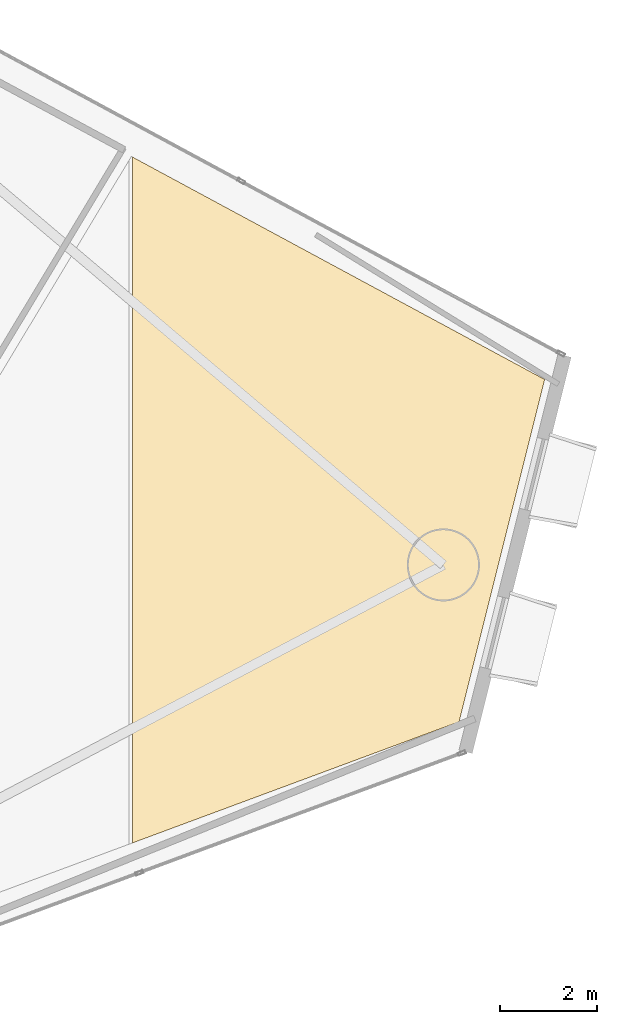
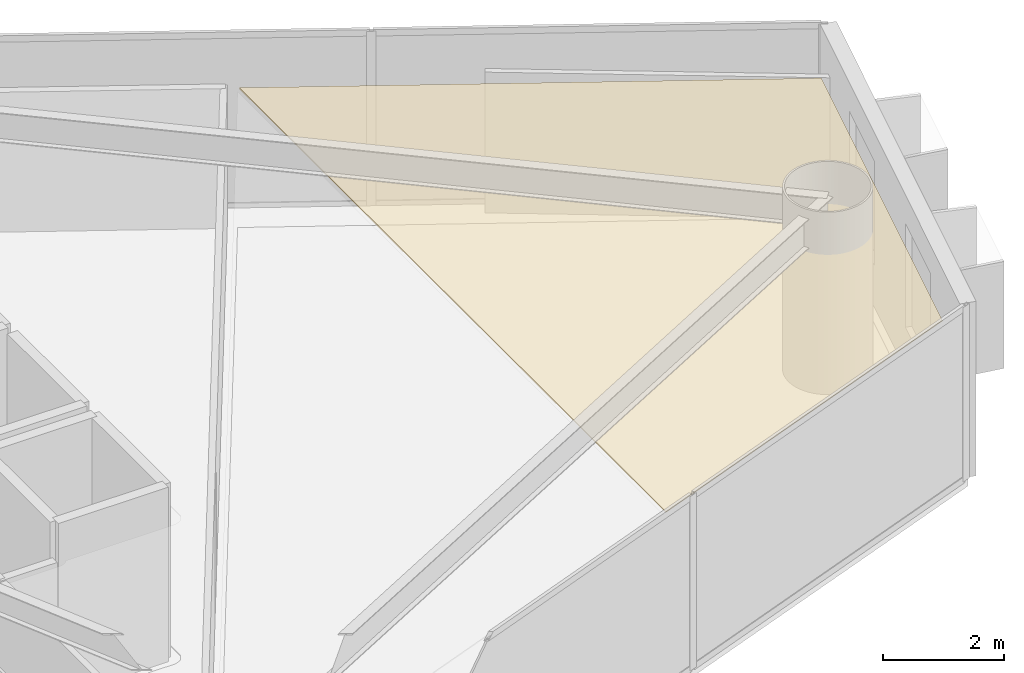
# One storey, part 21 of 21: 1 covering.
"""IFC4 building model written with IfcOpenShell, lengths in metres."""

from ifc_helpers import new_model, si_unit, direction, frame, origin, place, context, subcontext, project, spatial, polyline, outline, extrude, material, layer, layer_set, type_object, element, save


model = new_model("IFC4")

# Units and contexts
model_context = context("Model", 3, precision=1e-05, world=origin(), true_north=direction((0.0, 1.0)))
body_context = subcontext(model_context, "Body", "Model", "MODEL_VIEW")
ifc_project = project(units=[si_unit("LENGTHUNIT", "METRE"), si_unit("AREAUNIT", "SQUARE_METRE"), si_unit("VOLUMEUNIT", "CUBIC_METRE"), si_unit("PLANEANGLEUNIT", "RADIAN"), si_unit("MASSUNIT", "GRAM", prefix="KILO")], contexts=[model_context])

# Site, building, storey
site_placement = place(None, origin())
site = spatial("IfcSite", under=ifc_project, at=site_placement, CompositionType="ELEMENT")
building_placement = place(site_placement, origin())
building = spatial("IfcBuilding", under=site, at=building_placement, Name="Qianvela Tower", CompositionType="ELEMENT")
storey_placement = place(building_placement, frame((0.0, 0.0, 127.39990234375)))
storey = spatial("IfcBuildingStorey", under=building, at=storey_placement, Name="L32", CompositionType="ELEMENT", Elevation=127.39990234375)

# Covering
ifc_material = material(Name="Perforated Mineral Acoustic Ceiling Tile")
ifc_layer = layer(ifc_material, 0.02490234375)
ifc_layer_set = layer_set([ifc_layer], Name="Perforated Mineral Acoustic Ceiling Tile")
covering_type = type_object("IfcCoveringType", Name="COV-CEIL-ACOUSTIC-25", PredefinedType="CEILING", material=ifc_layer_set)
covering_placement = place(storey_placement, frame((0.0, 0.0, 2.815185546875)))
element("IfcCovering", 1, at=covering_placement, inside=storey, type_object=covering_type, Name="L32 Acoustic Ceiling Bay 2 Academic Advising Lounge L32-04B", PredefinedType="CEILING", context=body_context, shape_type="SweptSolid", body=[
    extrude(outline(polyline([(50.804931640625, 18.2431640625), (50.804931640625, 32.34228515625), (59.274658203125, 27.77197265625), (57.5166015625, 20.73291015625), (50.804931640625, 18.2431640625)])), origin(), (0.0, 0.0, 1.0), 0.02490234375),
])

save(model, "model.ifc")
